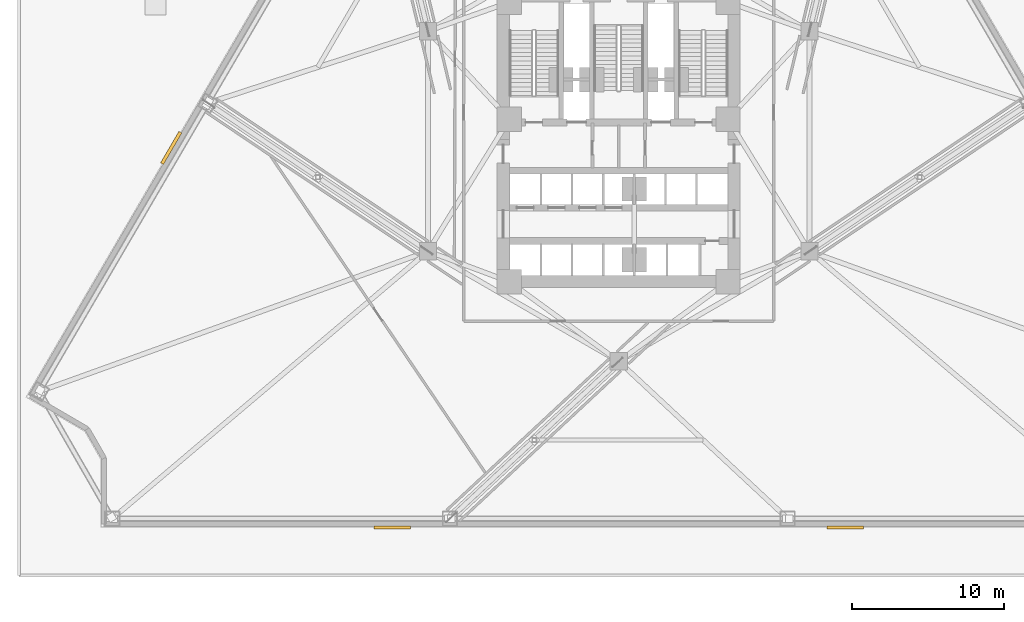
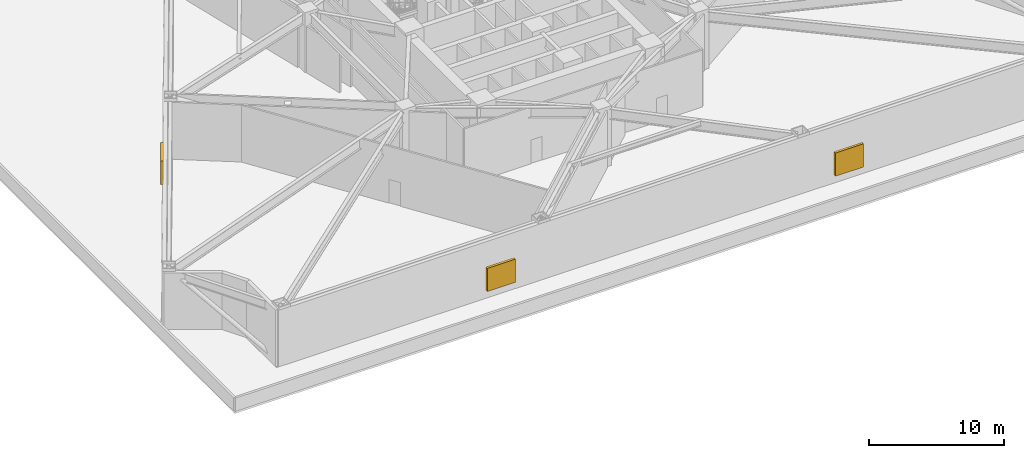
# One storey, part 19 of 23: 3 shading devices.
"""IFC4 building model written with IfcOpenShell, lengths in metres."""

import ifcopenshell
import ifcopenshell.guid

model = None  # the IFC model being written
_history = None  # IfcOwnerHistory: only IFC2X3 demands one
_inside = {}  # id of a spatial element -> (the spatial element, [elements in it])
_under = {}  # id of a project, library or spatial element -> (it, [spatial elements below it])
_declared = {}  # id of a project -> (the project, [libraries it declares])
_typed = {}  # id of a type object -> (the type object, [elements of that type])
_made_of = {}  # id of a material, layer set ... -> (it, [elements and type objects made of it])


def new_model(schema):
    """Start an empty IFC model of exactly this schema.

    Asked for "IFC4X3", IfcOpenShell would pick the latest addendum, in which some entities
    have other attributes; the version numbers below select the first issue.
    IFC2X3 requires an IfcOwnerHistory on every rooted entity: one is made here for all.
    """
    global model, _history
    if schema == "IFC4X3":
        model = ifcopenshell.file(schema_version=(4, 3, 0, 0))
    else:
        model = ifcopenshell.file(schema=schema)
    _inside.clear()
    _under.clear()
    _declared.clear()
    _typed.clear()
    _made_of.clear()
    _history = None
    if model.schema == "IFC2X3":
        org = make("IfcOrganization", Name="unknown")
        user = make(
            "IfcPersonAndOrganization",
            ThePerson=make("IfcPerson", FamilyName="unknown"),
            TheOrganization=org,
        )
        app = make(
            "IfcApplication",
            ApplicationDeveloper=org,
            Version="unknown",
            ApplicationFullName="unknown",
            ApplicationIdentifier="unknown",
        )
        _history = make(
            "IfcOwnerHistory",
            OwningUser=user,
            OwningApplication=app,
            ChangeAction="ADDED",
            CreationDate=0,
        )
    return model


def make(cls, **values):
    """One entity of the class cls with the attributes given. An attribute that is None is left unset."""
    return model.create_entity(
        cls, **{name: value for name, value in values.items() if value is not None}
    )


def rooted(cls, **values):
    """An entity with a GlobalId (a new one), such as an element, a storey or a relation."""
    return make(cls, GlobalId=ifcopenshell.guid.new(), OwnerHistory=_history, **values)


def si_unit(unit_type, name, prefix=None):
    """IfcSIUnit, for example si_unit("LENGTHUNIT", "METRE", prefix="MILLI")."""
    return make("IfcSIUnit", UnitType=unit_type, Prefix=prefix, Name=name)


def assignment(units):
    """IfcUnitAssignment: the units of a project."""
    return None if units is None else make("IfcUnitAssignment", Units=units)


def point(xyz):
    """IfcCartesianPoint."""
    return None if xyz is None else make("IfcCartesianPoint", Coordinates=xyz)


def direction(xyz):
    """IfcDirection."""
    return None if xyz is None else make("IfcDirection", DirectionRatios=xyz)


def frame(location, z_axis=None, x_axis=None):
    """IfcAxis2Placement3D, a coordinate frame: its origin and axes. An axis left out is left unset."""
    return make(
        "IfcAxis2Placement3D",
        Location=point(location),
        Axis=direction(z_axis),
        RefDirection=direction(x_axis),
    )


def frame_2d(location, x_axis=None):
    """IfcAxis2Placement2D, a coordinate frame in the plane: its origin and x axis."""
    return make(
        "IfcAxis2Placement2D", Location=point(location), RefDirection=direction(x_axis)
    )


def origin():
    """The frame at (0, 0, 0) with its axes left unset."""
    return frame((0.0, 0.0, 0.0))


def origin_2d():
    """The frame at (0, 0) in the plane with its x axis left unset."""
    return frame_2d((0.0, 0.0))


def place(relative_to, where):
    """IfcLocalPlacement: puts the frame where relative to a parent placement (None: the world)."""
    return make(
        "IfcLocalPlacement", PlacementRelTo=relative_to, RelativePlacement=where
    )


def context(
    kind, dimensions, precision=None, world=None, true_north=None, identifier=None
):
    """IfcGeometricRepresentationContext, for example the 3D "Model" context."""
    return make(
        "IfcGeometricRepresentationContext",
        ContextIdentifier=identifier,
        ContextType=kind,
        CoordinateSpaceDimension=dimensions,
        Precision=precision,
        WorldCoordinateSystem=world,
        TrueNorth=true_north,
    )


def subcontext(parent, identifier, kind, view, scale=None):
    """IfcGeometricRepresentationSubContext, for example "Body" below "Model"."""
    return make(
        "IfcGeometricRepresentationSubContext",
        ContextIdentifier=identifier,
        ContextType=kind,
        ParentContext=parent,
        TargetScale=scale,
        TargetView=view,
    )


def project(units=None, contexts=None):
    """IfcProject with its units and contexts."""
    return rooted(
        "IfcProject",
        Name="project",
        RepresentationContexts=contexts,
        UnitsInContext=assignment(units),
    )


def spatial(cls, under=None, at=None, **own):
    """A site, building, storey or space (cls), placed at a placement, below another one or the project."""
    s = rooted(cls, ObjectPlacement=at, **own)
    if under is not None:
        _under.setdefault(under.id(), (under, []))[1].append(s)
    return s


def profile(cls, at=None, kind="AREA", **sizes):
    """A parametric profile (cls). Its sizes go by their IFC names, for example OverallWidth=200.0."""
    return make(cls, ProfileType=kind, Position=at, **sizes)


def rectangle(**sizes):
    """IfcRectangleProfileDef."""
    return profile("IfcRectangleProfileDef", **sizes)


def extrude(swept, where, along, depth):
    """IfcExtrudedAreaSolid: the profile swept, set in the frame where, extruded along a direction by depth."""
    return make(
        "IfcExtrudedAreaSolid",
        SweptArea=swept,
        Position=where,
        ExtrudedDirection=direction(along),
        Depth=depth,
    )


def shape(context_of_items, identifier, shape_type, items):
    """IfcShapeRepresentation: the items that make up one representation, for example the "Body"."""
    return make(
        "IfcShapeRepresentation",
        ContextOfItems=context_of_items,
        RepresentationIdentifier=identifier,
        RepresentationType=shape_type,
        Items=items,
    )


def material(Name=None, Category=None):
    """IfcMaterial."""
    return make("IfcMaterial", Name=Name, Category=Category)


def made_of(thing, what):
    """Note that an element or type object is made of a material, layer set ...; save() writes the relation."""
    if what is not None:
        _made_of.setdefault(what.id(), (what, []))[1].append(thing)
    return thing


def type_object(cls, material=None, **own):
    """A type object (cls), such as IfcWallType, which elements share."""
    return made_of(rooted(cls, **own), material)


def element(
    cls,
    number,
    at=None,
    inside=None,
    cuts=None,
    type_object=None,
    material=None,
    context=None,
    identifier="Body",
    shape_type=None,
    held_by="IfcProductDefinitionShape",
    body=None,
    shapes=None,
    **own,
):
    """One element of the class cls, such as IfcWall. Its Tag is "e" and its number.

    at: its placement. inside: the storey or other place that contains it. cuts: it is an
    opening in that element (IfcRelVoidsElement). A single representation is given by context,
    identifier, shape_type and body (its items); several are given by shapes. held_by: the class
    of the entity that holds the representations. save() writes the other relations.
    """
    e = rooted(cls, Tag="e%d" % number, ObjectPlacement=at, **own)
    if body is not None:
        shapes = [shape(context, identifier, shape_type, body)]
    if shapes is not None:
        e.Representation = make(held_by, Representations=shapes)
    if inside is not None:
        _inside.setdefault(inside.id(), (inside, []))[1].append(e)
    if cuts is not None:
        rooted(
            "IfcRelVoidsElement", RelatingBuildingElement=cuts, RelatedOpeningElement=e
        )
    if type_object is not None:
        _typed.setdefault(type_object.id(), (type_object, []))[1].append(e)
    return made_of(e, material)


def aggregate(whole, parts):
    """IfcRelAggregates: a whole, such as a stair, and the parts it consists of."""
    return rooted("IfcRelAggregates", RelatingObject=whole, RelatedObjects=parts)


def save(model, path):
    """Write the relations noted so far, then the file.

    IfcRelAggregates (storeys below a building ...), IfcRelContainedInSpatialStructure (elements
    in a storey), IfcRelDefinesByType, IfcRelAssociatesMaterial and IfcRelDeclares: one each for
    every whole, place, type object, material and project.
    """
    for whole, parts in _under.values():
        aggregate(whole, parts)
    for where, things in _inside.values():
        rooted(
            "IfcRelContainedInSpatialStructure",
            RelatedElements=things,
            RelatingStructure=where,
        )
    for kind, things in _typed.values():
        rooted("IfcRelDefinesByType", RelatedObjects=things, RelatingType=kind)
    for what, things in _made_of.values():
        rooted("IfcRelAssociatesMaterial", RelatedObjects=things, RelatingMaterial=what)
    for by, libraries in _declared.values():
        rooted("IfcRelDeclares", RelatingContext=by, RelatedDefinitions=libraries)
    model.write(path)


model = new_model("IFC4")

# Units and contexts
model_context = context("Model", 3, precision=1e-05, world=origin(), true_north=direction((0.0, 1.0)))
body_context = subcontext(model_context, "Body", "Model", "MODEL_VIEW")
ifc_project = project(units=[si_unit("LENGTHUNIT", "METRE"), si_unit("AREAUNIT", "SQUARE_METRE"), si_unit("VOLUMEUNIT", "CUBIC_METRE"), si_unit("PLANEANGLEUNIT", "RADIAN"), si_unit("MASSUNIT", "GRAM", prefix="KILO")], contexts=[model_context])

# Site, building, storey
site_placement = place(None, origin())
site = spatial("IfcSite", under=ifc_project, at=site_placement, CompositionType="ELEMENT")
building_placement = place(site_placement, origin())
building = spatial("IfcBuilding", under=site, at=building_placement, Name="Apsidion Concourse Tower", CompositionType="ELEMENT")
storey_placement = place(building_placement, frame((0.0, 0.0, 29.0)))
storey = spatial("IfcBuildingStorey", under=building, at=storey_placement, Name="L05", CompositionType="ELEMENT", Elevation=29.0)

# Shading devices
ifc_material = material(Name="Anodised aluminium EN AW-6063 T6", Category="aluminium")
shading_device_type = type_object("IfcShadingDeviceType", Name="SH-LOUVRE-AL", PredefinedType="JALOUSIE", material=ifc_material)
for number, where, z_axis, x_axis, name in (
    (1, (14.910888671875, -25.43994140625, 0.75), (0.0, 0.0, 1.0), (-1.0, 0.0, 0.0), "L05 Plant Acoustic Louvre Bank 5-1"),
    (2, (-14.910888671875, -25.43994140625, 0.75), (0.0, 0.0, 1.0), (-1.0, 0.0, 0.0), "L05 Plant Acoustic Louvre Bank 5-2"),
    (3, (-29.46826171875, -0.44189453125, 0.75), (0.0, 0.0, 1.0), (0.504226211181, 0.863571611366, 0.0), "L05 Plant Acoustic Louvre Bank 9-1"),
):
    element("IfcShadingDevice", number, at=place(storey_placement, frame(where, z_axis=z_axis, x_axis=x_axis)), inside=storey, type_object=shading_device_type, Name=name, PredefinedType="JALOUSIE", context=body_context, shape_type="SweptSolid", body=[
        extrude(rectangle(XDim=2.39990234375, YDim=0.219970703125, at=origin_2d()), origin(), (0.0, 0.0, 1.0), 2.10009765625),
    ])

save(model, "model.ifc")
